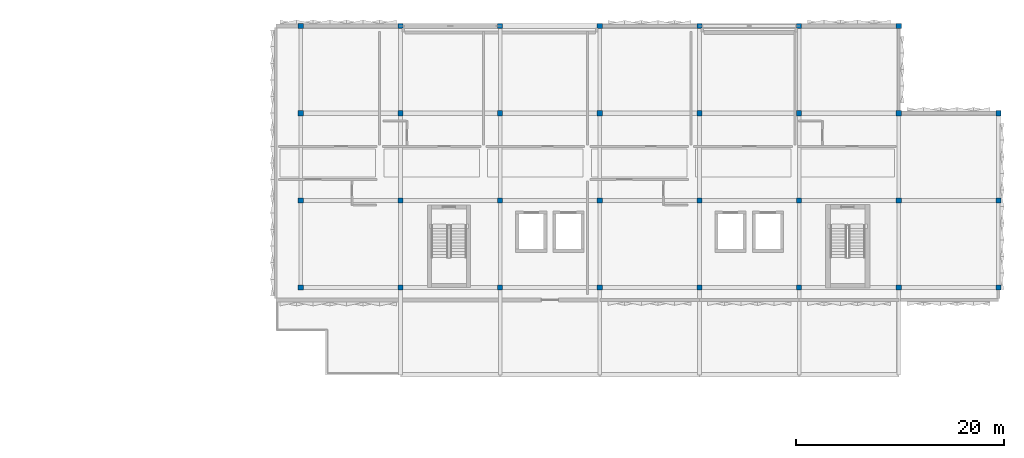
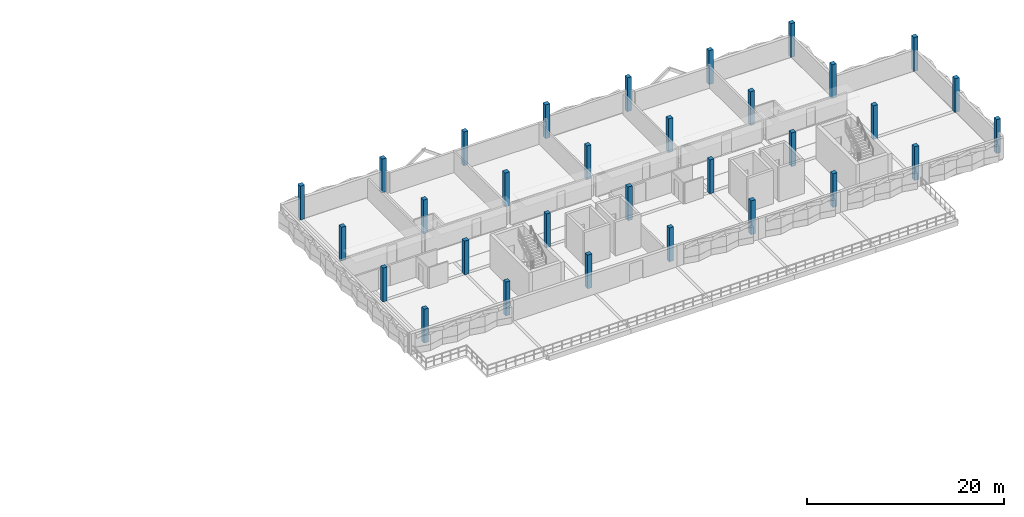
# One storey, part 1 of 13: 31 columns.
"""IFC4 building model written with IfcOpenShell, lengths in metres."""

from ifc_helpers import new_model, si_unit, direction, frame, origin, origin_2d, place, context, subcontext, project, spatial, rectangle, extrude, material, material_profile, profile_set, type_object, element, save


model = new_model("IFC4")

# Units and contexts
model_context = context("Model", 3, precision=1e-05, world=origin(), true_north=direction((0.0, 1.0)))
body_context = subcontext(model_context, "Body", "Model", "MODEL_VIEW")
ifc_project = project(units=[si_unit("LENGTHUNIT", "METRE"), si_unit("AREAUNIT", "SQUARE_METRE"), si_unit("VOLUMEUNIT", "CUBIC_METRE"), si_unit("PLANEANGLEUNIT", "RADIAN"), si_unit("MASSUNIT", "GRAM", prefix="KILO")], contexts=[model_context])

# Site, building, storey
site_placement = place(None, origin())
site = spatial("IfcSite", under=ifc_project, at=site_placement, CompositionType="ELEMENT")
building_placement = place(site_placement, origin())
building = spatial("IfcBuilding", under=site, at=building_placement, Name="Oolite Switchyard Hospital", CompositionType="ELEMENT")
storey_placement = place(building_placement, frame((0.0, 0.0, 30.39990234375)))
storey = spatial("IfcBuildingStorey", under=building, at=storey_placement, Name="L07", CompositionType="ELEMENT", Elevation=30.39990234375)

# Columns
ifc_material = material(Name="Concrete C50/60", Category="concrete")
ifc_material_profile = material_profile(ifc_material, rectangle(XDim=0.5, YDim=0.5, at=origin_2d()), Name="RC500X500")
ifc_profile_set = profile_set([ifc_material_profile], Name="Concrete C50/60")
column_type = type_object("IfcColumnType", Name="COL-RC500", PredefinedType="COLUMN", material=ifc_profile_set)
for number, where, z_axis, x_axis, name in (
    (1, (144.0, 109.199951171875, 0.0), (0.0, 0.0, 1.0), (1.0, 0.0, 0.0), "L07 Column 1392"),
    (2, (144.0, 117.60009765625, 0.0), (0.0, 0.0, 1.0), (1.0, 0.0, 0.0), "L07 Column 1393"),
    (3, (144.0, 126.0, 0.0), (0.0, 0.0, 1.0), (1.0, 0.0, 0.0), "L07 Column 1394"),
    (4, (144.0, 134.39990234375, 0.0), (0.0, 0.0, 1.0), (1.0, 0.0, 0.0), "L07 Column 1395"),
    (5, (153.60009765625, 109.199951171875, 0.0), (0.0, 0.0, 1.0), (1.0, 0.0, 0.0), "L07 Column 1396"),
    (6, (153.60009765625, 117.60009765625, 0.0), (0.0, 0.0, 1.0), (1.0, 0.0, 0.0), "L07 Column 1397"),
    (7, (153.60009765625, 126.0, 0.0), (0.0, 0.0, 1.0), (1.0, 0.0, 0.0), "L07 Column 1398"),
    (8, (153.60009765625, 134.39990234375, 0.0), (0.0, 0.0, 1.0), (1.0, 0.0, 0.0), "L07 Column 1399"),
    (9, (163.199951171875, 109.199951171875, 0.0), (0.0, 0.0, 1.0), (1.0, 0.0, 0.0), "L07 Column 1400"),
    (10, (163.199951171875, 117.60009765625, 0.0), (0.0, 0.0, 1.0), (1.0, 0.0, 0.0), "L07 Column 1401"),
    (11, (163.199951171875, 126.0, 0.0), (0.0, 0.0, 1.0), (1.0, 0.0, 0.0), "L07 Column 1402"),
    (12, (163.199951171875, 134.39990234375, 0.0), (0.0, 0.0, 1.0), (1.0, 0.0, 0.0), "L07 Column 1403"),
    (13, (172.800048828125, 109.199951171875, 0.0), (0.0, 0.0, 1.0), (1.0, 0.0, 0.0), "L07 Column 1404"),
    (14, (172.800048828125, 117.60009765625, 0.0), (0.0, 0.0, 1.0), (1.0, 0.0, 0.0), "L07 Column 1405"),
    (15, (172.800048828125, 126.0, 0.0), (0.0, 0.0, 1.0), (1.0, 0.0, 0.0), "L07 Column 1406"),
    (16, (172.800048828125, 134.39990234375, 0.0), (0.0, 0.0, 1.0), (1.0, 0.0, 0.0), "L07 Column 1407"),
    (17, (182.39990234375, 109.199951171875, 0.0), (0.0, 0.0, 1.0), (1.0, 0.0, 0.0), "L07 Column 1408"),
    (18, (182.39990234375, 117.60009765625, 0.0), (0.0, 0.0, 1.0), (1.0, 0.0, 0.0), "L07 Column 1409"),
    (19, (182.39990234375, 126.0, 0.0), (0.0, 0.0, 1.0), (1.0, 0.0, 0.0), "L07 Column 1410"),
    (20, (182.39990234375, 134.39990234375, 0.0), (0.0, 0.0, 1.0), (1.0, 0.0, 0.0), "L07 Column 1411"),
    (21, (192.0, 109.199951171875, 0.0), (0.0, 0.0, 1.0), (1.0, 0.0, 0.0), "L07 Column 1412"),
    (22, (192.0, 117.60009765625, 0.0), (0.0, 0.0, 1.0), (1.0, 0.0, 0.0), "L07 Column 1413"),
    (23, (192.0, 126.0, 0.0), (0.0, 0.0, 1.0), (1.0, 0.0, 0.0), "L07 Column 1414"),
    (24, (192.0, 134.39990234375, 0.0), (0.0, 0.0, 1.0), (1.0, 0.0, 0.0), "L07 Column 1415"),
    (25, (201.60009765625, 109.199951171875, 0.0), (0.0, 0.0, 1.0), (1.0, 0.0, 0.0), "L07 Column 1416"),
    (26, (201.60009765625, 117.60009765625, 0.0), (0.0, 0.0, 1.0), (1.0, 0.0, 0.0), "L07 Column 1417"),
    (27, (201.60009765625, 126.0, 0.0), (0.0, 0.0, 1.0), (1.0, 0.0, 0.0), "L07 Column 1418"),
    (28, (201.60009765625, 134.39990234375, 0.0), (0.0, 0.0, 1.0), (1.0, 0.0, 0.0), "L07 Column 1419"),
    (29, (211.199951171875, 109.199951171875, 0.0), (0.0, 0.0, 1.0), (1.0, 0.0, 0.0), "L07 Column 1420"),
    (30, (211.199951171875, 117.60009765625, 0.0), (0.0, 0.0, 1.0), (1.0, 0.0, 0.0), "L07 Column 1421"),
    (31, (211.199951171875, 126.0, 0.0), (0.0, 0.0, 1.0), (1.0, 0.0, 0.0), "L07 Column 1422"),
):
    element("IfcColumn", number, at=place(storey_placement, frame(where, z_axis=z_axis, x_axis=x_axis)), inside=storey, type_object=column_type, Name=name, PredefinedType="COLUMN", context=body_context, shape_type="SweptSolid", body=[
        extrude(rectangle(XDim=0.5, YDim=0.5, at=origin_2d()), origin(), (0.0, 0.0, 1.0), 4.2001953125),
    ])

save(model, "model.ifc")
